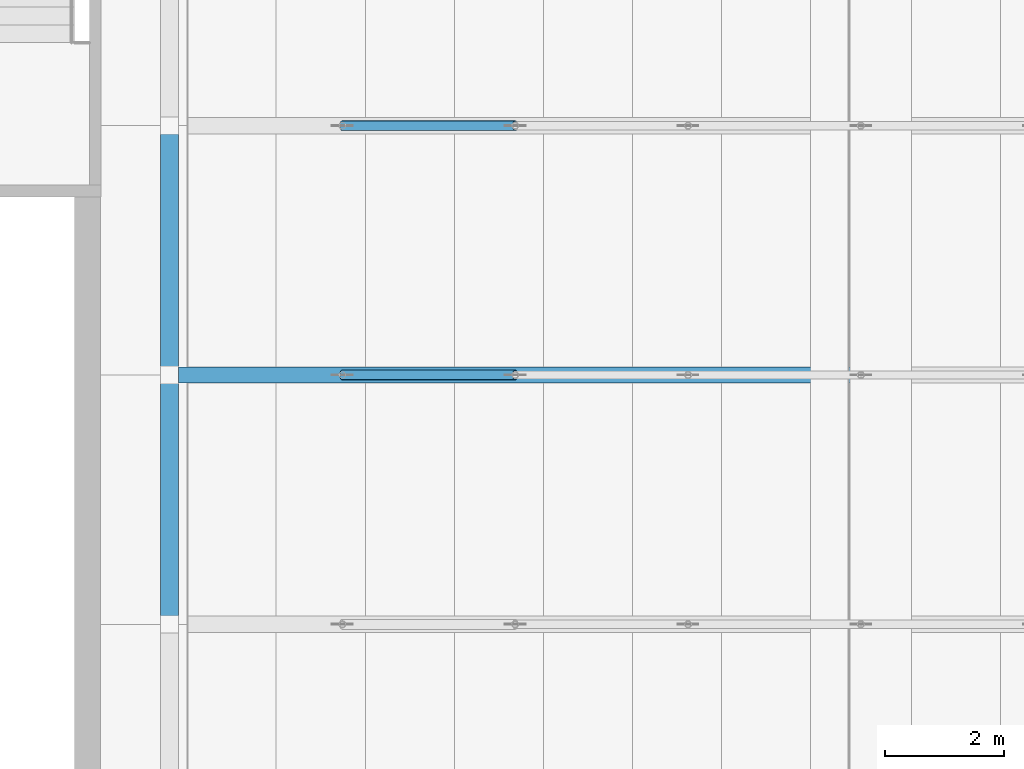
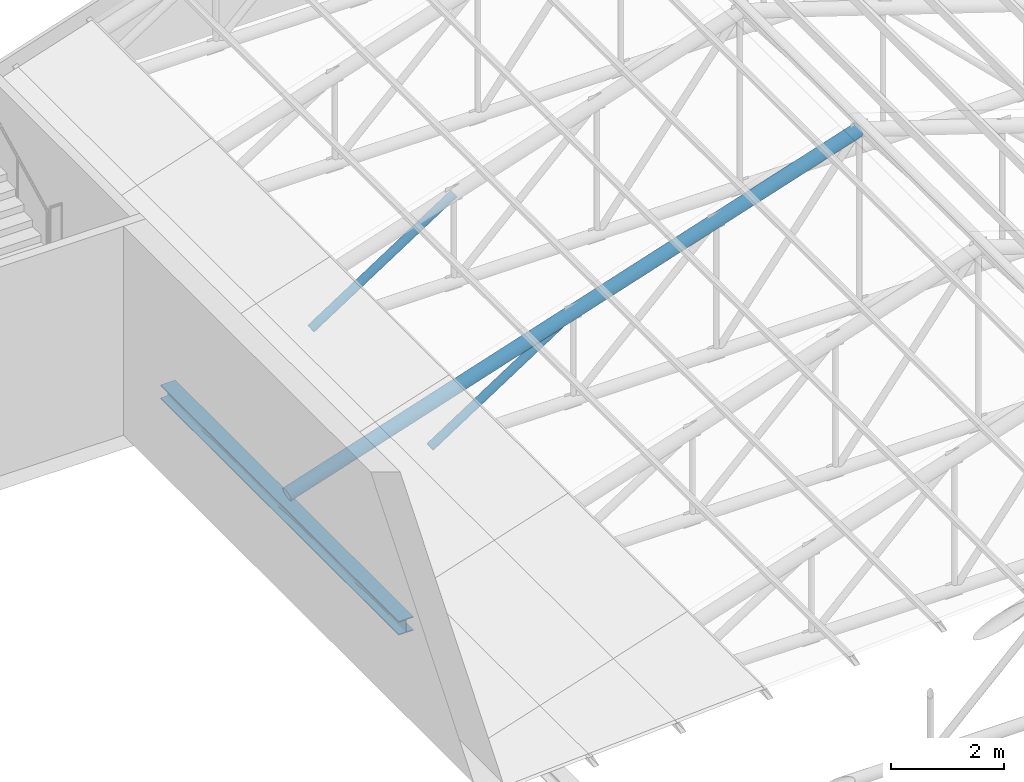
# One storey, part 40 of 95: 3 members, 1 beam.
"""IFC4 building model written with IfcOpenShell, lengths in metres."""

from ifc_helpers import new_model, si_unit, direction, frame, origin, origin_2d, place, context, subcontext, project, spatial, hollow_circle, i_section, extrude, material, material_profile, profile_set, type_object, element, save


model = new_model("IFC4")

# Units and contexts
model_context = context("Model", 3, precision=1e-05, world=origin(), true_north=direction((0.0, 1.0)))
body_context = subcontext(model_context, "Body", "Model", "MODEL_VIEW")
ifc_project = project(units=[si_unit("LENGTHUNIT", "METRE"), si_unit("AREAUNIT", "SQUARE_METRE"), si_unit("VOLUMEUNIT", "CUBIC_METRE"), si_unit("PLANEANGLEUNIT", "RADIAN"), si_unit("MASSUNIT", "GRAM", prefix="KILO")], contexts=[model_context])

# Site, building, storey
site_placement = place(None, origin())
site = spatial("IfcSite", under=ifc_project, at=site_placement, CompositionType="ELEMENT")
building_placement = place(site_placement, origin())
building = spatial("IfcBuilding", under=site, at=building_placement, Name="Kiln Court Media Centre", CompositionType="ELEMENT")
storey_placement = place(building_placement, frame((0.0, 0.0, 24.60009765625)))
storey = spatial("IfcBuildingStorey", under=building, at=storey_placement, Name="L05", CompositionType="ELEMENT", Elevation=24.60009765625)

# Members
ifc_material_1 = material(Name="Steel ASTM A500 Gr C", Category="steel")
ifc_material_profile_1 = material_profile(ifc_material_1, hollow_circle(Radius=0.084228515625, WallThickness=0.00634765625, at=origin_2d()), Name="CHS 168.3x6.3")
ifc_profile_set_1 = profile_set([ifc_material_profile_1], Name="Steel ASTM A500 Gr C")
member_type_1 = type_object("IfcMemberType", Name="Steel ASTM A500 Gr C CHS 168.3x6.3 truss web", PredefinedType="BRACE", material=ifc_profile_set_1)
for number, where, z_axis, x_axis, name in (
    (1, (37.66259765625, 54.60009765625, -0.013916015625), (0.838470915332, 0.0, 0.544946349784), (0.0, 1.0, 0.0), "foyer truss FT-08 diagonal 2 truss web"),
    (2, (37.66259765625, 58.800048828125, -0.013916015625), (0.838470915332, 0.0, 0.544946349784), (0.0, 1.0, 0.0), "foyer truss FT-09 diagonal 2 truss web"),
):
    element("IfcMember", number, at=place(storey_placement, frame(where, z_axis=z_axis, x_axis=x_axis)), inside=storey, type_object=member_type_1, Name=name, PredefinedType="BRACE", context=body_context, shape_type="SweptSolid", body=[
        extrude(hollow_circle(Radius=0.084228515625, WallThickness=0.00634765625, at=origin_2d()), origin(), (0.0, 0.0, 1.0), 3.473388671875),
    ])
ifc_material_2 = material(Name="Steel ASTM A500 Gr C", Category="steel")
ifc_material_profile_2 = material_profile(ifc_material_2, hollow_circle(Radius=0.136474609375, WallThickness=0.010009765625, at=origin_2d()), Name="CHS 273.0x10.0")
ifc_profile_set_2 = profile_set([ifc_material_profile_2], Name="Steel ASTM A500 Gr C")
member_type_2 = type_object("IfcMemberType", Name="Steel ASTM A500 Gr C CHS 273.0x10.0 truss chord", PredefinedType="CHORD", material=ifc_profile_set_2)
member_placement = place(storey_placement, frame((34.75, 54.60009765625, -0.013916015625), z_axis=(0.951053693326, 0.0, 0.309025682447), x_axis=(0.0, 1.0, 0.0)))
element("IfcMember", 3, at=member_placement, inside=storey, type_object=member_type_2, Name="foyer truss FT-08 west rafter truss chord", PredefinedType="CHORD", context=body_context, shape_type="SweptSolid", body=[
    extrude(hollow_circle(Radius=0.136474609375, WallThickness=0.010009765625, at=origin_2d()), origin(), (0.0, 0.0, 1.0), 12.24951171875),
])

# Beam
ifc_material_3 = material(Name="Steel ASTM A572 Gr 50", Category="steel")
ifc_material_profile_3 = material_profile(ifc_material_3, i_section(OverallWidth=0.300048828125, OverallDepth=0.300048828125, WebThickness=0.010986328125, FlangeThickness=0.01904296875, FilletRadius=0.027099609375, at=origin_2d()), Name="HE 300 B")
ifc_profile_set_3 = profile_set([ifc_material_profile_3], Name="Steel ASTM A572 Gr 50")
beam_type = type_object("IfcBeamType", Name="Steel ASTM A572 Gr 50 HE 300 B foyer eaves girder", PredefinedType="BEAM", material=ifc_profile_set_3)
beam_placement = place(storey_placement, frame((34.75, 50.39990234375, -0.300048828125), z_axis=(0.0, 1.0, 0.0), x_axis=(-1.0, 0.0, 0.0)))
element("IfcBeam", 4, at=beam_placement, inside=storey, type_object=beam_type, Name="foyer eaves girder at x 34.75 foyer eaves girder", PredefinedType="BEAM", context=body_context, shape_type="SweptSolid", body=[
    extrude(i_section(OverallWidth=0.300048828125, OverallDepth=0.300048828125, WebThickness=0.010986328125, FlangeThickness=0.01904296875, FilletRadius=0.027099609375, at=origin_2d()), origin(), (0.0, 0.0, 1.0), 8.400146484375),
])

save(model, "model.ifc")
